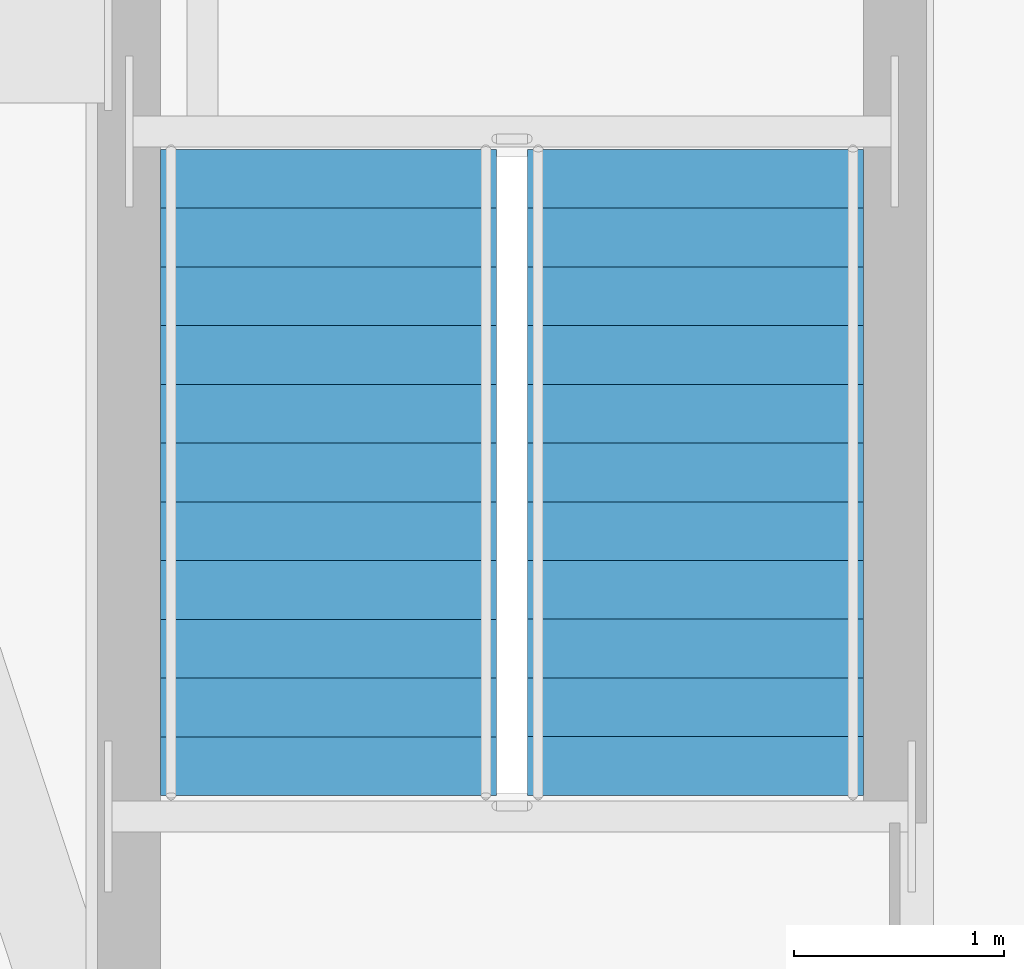
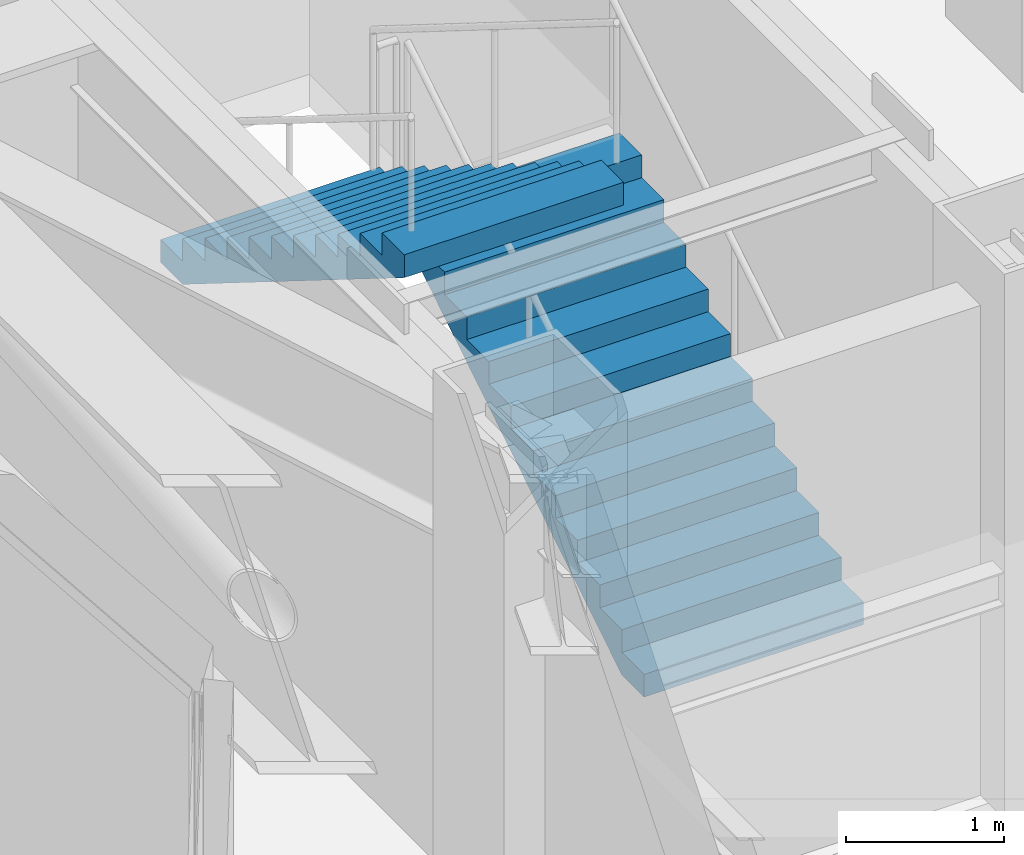
# One storey, part 13 of 15: 2 stair flights, 1 element without a shape of its own.
"""IFC4 building model written with IfcOpenShell, lengths in metres."""

from ifc_helpers import new_model, si_unit, direction, frame, origin, place, context, subcontext, project, spatial, polyline, outline, extrude, material, type_object, element, aggregate, save


model = new_model("IFC4")

# Units and contexts
model_context = context("Model", 3, precision=1e-05, world=origin(), true_north=direction((0.0, 1.0)))
body_context = subcontext(model_context, "Body", "Model", "MODEL_VIEW")
ifc_project = project(units=[si_unit("LENGTHUNIT", "METRE"), si_unit("AREAUNIT", "SQUARE_METRE"), si_unit("VOLUMEUNIT", "CUBIC_METRE"), si_unit("PLANEANGLEUNIT", "RADIAN"), si_unit("MASSUNIT", "GRAM", prefix="KILO")], contexts=[model_context])

# Site, building, storey
site_placement = place(None, origin())
site = spatial("IfcSite", under=ifc_project, at=site_placement, CompositionType="ELEMENT")
building_placement = place(site_placement, origin())
building = spatial("IfcBuilding", under=site, at=building_placement, Name="Khamvora Tower", CompositionType="ELEMENT")
storey_placement = place(building_placement, frame((0.0, 0.0, 290.449951171875)))
storey = spatial("IfcBuildingStorey", under=building, at=storey_placement, Name="L74", CompositionType="ELEMENT", Elevation=290.449951171875)

# Stair, stair flights
ifc_material = material(Name="Concrete C40/50", Category="concrete")
stair_type = type_object("IfcStairType", Name="STR-ST-02", PredefinedType="HALF_TURN_STAIR", material=ifc_material)
stair_placement = place(storey_placement, origin())
stair = element("IfcStair", 1, at=stair_placement, inside=storey, type_object=stair_type, Name="L74 North Tower Exit Stair ST-02", PredefinedType="HALF_TURN_STAIR")
stair_flight_type = type_object("IfcStairFlightType", Name="STF-ST-02", PredefinedType="STRAIGHT", material=ifc_material)
stair_flight_1_placement = place(storey_placement, frame((31.699951171875, 29.85009765625, 0.0), z_axis=(0.0, 0.0, 1.0), x_axis=(0.0, 1.0, 0.0)))
stair_flight_1 = element("IfcStairFlight", 2, at=stair_flight_1_placement, type_object=stair_flight_type, Name="ST-02 flight 1", NumberOfRisers=12, NumberOfTreads=11, PredefinedType="STRAIGHT", RiserHeight=0.175, TreadLength=0.28, context=body_context, shape_type="SweptSolid", body=[
    extrude(outline(polyline([(0.0, 0.0), (0.0, 0.175048828125), (0.280029296875, 0.175048828125), (0.280029296875, 0.35009765625), (0.56005859375, 0.35009765625), (0.56005859375, 0.52490234375), (0.840087890625, 0.52490234375), (0.840087890625, 0.699951171875), (1.1201171875, 0.699951171875), (1.1201171875, 0.875), (1.39990234375, 0.875), (1.39990234375, 1.050048828125), (1.679931640625, 1.050048828125), (1.679931640625, 1.22509765625), (1.9599609375, 1.22509765625), (1.9599609375, 1.39990234375), (2.239990234375, 1.39990234375), (2.239990234375, 1.574951171875), (2.52001953125, 1.574951171875), (2.52001953125, 1.75), (2.800048828125, 1.75), (2.800048828125, 1.925048828125), (3.080078125, 1.925048828125), (3.080078125, 2.10009765625), (3.080078125, 1.748291015625), (0.28271484375, 0.0), (0.0, 0.0)])), frame((0.0, 0.800048828125, 0.0), z_axis=(0.0, -1.0, 0.0), x_axis=(1.0, 0.0, 0.0)), (0.0, 0.0, 1.0), 1.60009765625),
])
stair_flight_2_placement = place(storey_placement, frame((29.949951171875, 32.929931640625, 2.10009765625), z_axis=(0.0, 0.0, 1.0), x_axis=(0.0, -1.0, 0.0)))
stair_flight_2 = element("IfcStairFlight", 3, at=stair_flight_2_placement, type_object=stair_flight_type, Name="ST-02 flight 2", NumberOfRisers=12, NumberOfTreads=11, PredefinedType="STRAIGHT", RiserHeight=0.175, TreadLength=0.28, context=body_context, shape_type="SweptSolid", body=[
    extrude(outline(polyline([(0.0, 0.0), (0.0, 0.175048828125), (0.280029296875, 0.175048828125), (0.280029296875, 0.35009765625), (0.56005859375, 0.35009765625), (0.56005859375, 0.52490234375), (0.840087890625, 0.52490234375), (0.840087890625, 0.699951171875), (1.1201171875, 0.699951171875), (1.1201171875, 0.875), (1.39990234375, 0.875), (1.39990234375, 1.050048828125), (1.679931640625, 1.050048828125), (1.679931640625, 1.22509765625), (1.9599609375, 1.22509765625), (1.9599609375, 1.39990234375), (2.239990234375, 1.39990234375), (2.239990234375, 1.574951171875), (2.52001953125, 1.574951171875), (2.52001953125, 1.75), (2.800048828125, 1.75), (2.800048828125, 1.925048828125), (3.080078125, 1.925048828125), (3.080078125, 2.10009765625), (3.080078125, 1.748291015625), (0.28271484375, 0.0), (0.0, 0.0)])), frame((0.0, 0.800048828125, 0.0), z_axis=(0.0, -1.0, 0.0), x_axis=(1.0, 0.0, 0.0)), (0.0, 0.0, 1.0), 1.60009765625),
])
aggregate(stair, [stair_flight_1, stair_flight_2])

save(model, "model.ifc")
